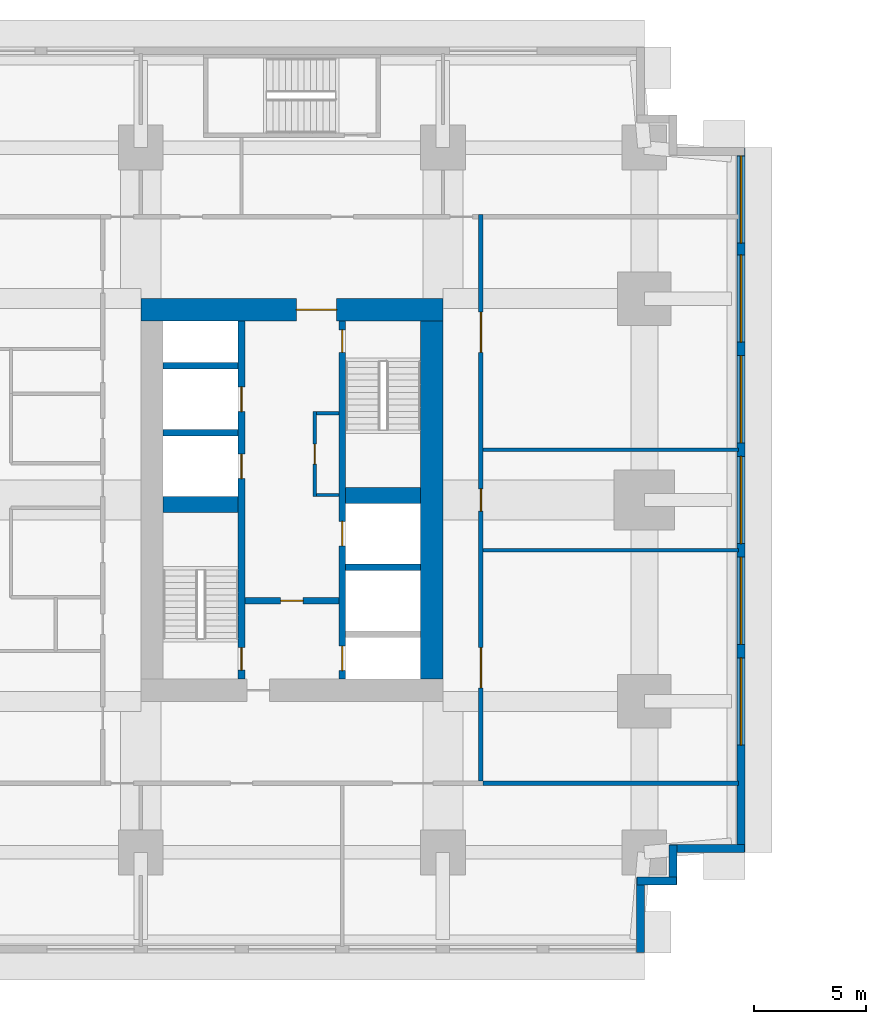
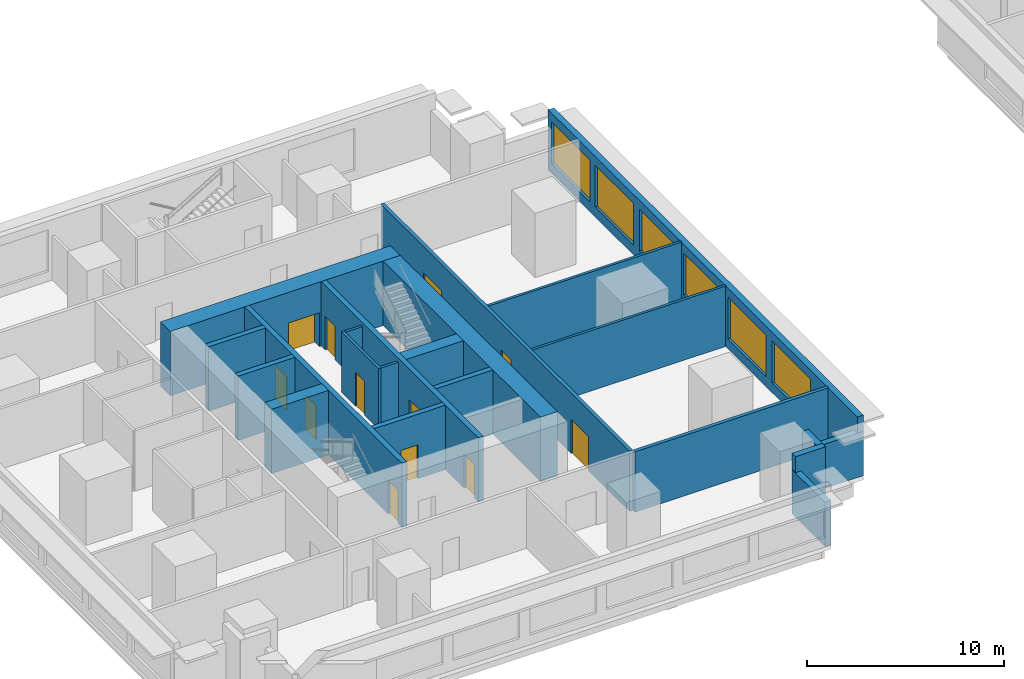
# One storey, part 4 of 11: 22 walls, 12 doors, 6 windows, 18 openings.
"""IFC4 building model written with IfcOpenShell, lengths in metres."""

from ifc_helpers import new_model, si_unit, direction, frame, frame_2d, origin, place, context, subcontext, project, spatial, rectangle, extrude, material, layer, layer_set, type_object, element, fill, save


model = new_model("IFC4")

# Units and contexts
model_context = context("Model", 3, precision=1e-05, world=origin(), true_north=direction((0.0, 1.0)))
body_context = subcontext(model_context, "Body", "Model", "MODEL_VIEW")
ifc_project = project(units=[si_unit("LENGTHUNIT", "METRE"), si_unit("AREAUNIT", "SQUARE_METRE"), si_unit("VOLUMEUNIT", "CUBIC_METRE"), si_unit("PLANEANGLEUNIT", "RADIAN"), si_unit("MASSUNIT", "GRAM", prefix="KILO")], contexts=[model_context])

# Site, building, storey
site_placement = place(None, origin())
site = spatial("IfcSite", under=ifc_project, at=site_placement, CompositionType="ELEMENT")
building_placement = place(site_placement, origin())
building = spatial("IfcBuilding", under=site, at=building_placement, Name="Namib Vertical Campus", CompositionType="ELEMENT")
storey_placement = place(building_placement, frame((0.0, 0.0, 73.0)))
storey = spatial("IfcBuildingStorey", under=building, at=storey_placement, Name="L17", CompositionType="ELEMENT", Elevation=73.0)

# Wall, openings, doors
ifc_material_1 = material(Name="Concrete C60/75", Category="concrete")
ifc_layer_1 = layer(ifc_material_1, 0.300048828125)
ifc_layer_set_1 = layer_set([ifc_layer_1], Name="Concrete C60/75")
wall_type_1 = type_object("IfcWallType", Name="Core inner wall 300", PredefinedType="SHEAR", material=ifc_layer_set_1)
wall_1_placement = place(storey_placement, frame((18.0, 12.25, 0.0), z_axis=(0.0, 0.0, 1.0), x_axis=(0.0, 1.0, 0.0)))
wall_1 = element("IfcWall", 1, at=wall_1_placement, inside=storey, type_object=wall_type_1, Name="Core inner wall A L17 W1", PredefinedType="SHEAR", context=body_context, shape_type="SweptSolid", body=[
    extrude(rectangle(XDim=16.0, YDim=0.300048828125, at=frame_2d((8.0, 0.0))), origin(), (0.0, 0.0, 1.0), 4.0),
])
opening_1_placement = place(wall_1_placement, frame((0.39990234375, 0.0, 0.0)))
opening_1 = element("IfcOpeningElement", 2, at=opening_1_placement, cuts=wall_1, Name="Opening FD1", PredefinedType="OPENING", context=body_context, shape_type="SweptSolid", body=[
    extrude(rectangle(XDim=1.0, YDim=2.10009765625, at=frame_2d((0.5, 1.050048828125))), frame((0.0, 0.159912109375, 0.0), z_axis=(0.0, -1.0, 0.0), x_axis=(1.0, 0.0, 0.0)), (0.0, 0.0, 1.0), 0.320068359375),
])
opening_2_placement = place(wall_1_placement, frame((8.949951171875, 0.0, 0.0)))
opening_2 = element("IfcOpeningElement", 3, at=opening_2_placement, cuts=wall_1, Name="Opening LD1", PredefinedType="OPENING", context=body_context, shape_type="SweptSolid", body=[
    extrude(rectangle(XDim=1.10009765625, YDim=2.10009765625, at=frame_2d((0.550048828125, 1.050048828125))), frame((0.0, 0.159912109375, 0.0), z_axis=(0.0, -1.0, 0.0), x_axis=(1.0, 0.0, 0.0)), (0.0, 0.0, 1.0), 0.320068359375),
])
opening_3_placement = place(wall_1_placement, frame((11.949951171875, 0.0, 0.0)))
opening_3 = element("IfcOpeningElement", 4, at=opening_3_placement, cuts=wall_1, Name="Opening LD1", PredefinedType="OPENING", context=body_context, shape_type="SweptSolid", body=[
    extrude(rectangle(XDim=1.10009765625, YDim=2.10009765625, at=frame_2d((0.550048828125, 1.050048828125))), frame((0.0, 0.159912109375, 0.0), z_axis=(0.0, -1.0, 0.0), x_axis=(1.0, 0.0, 0.0)), (0.0, 0.0, 1.0), 0.320068359375),
])
ifc_material_2 = material(Name="Steel fire door", Category="steel")
door_type_1 = type_object("IfcDoorType", Name="Fire door 1000x2100", OperationType="SINGLE_SWING_RIGHT", PredefinedType="DOOR", material=ifc_material_2)
door_1_placement = place(opening_1_placement, origin())
door_1 = element("IfcDoor", 5, at=door_1_placement, inside=storey, type_object=door_type_1, Name="Stair door FD1 A L17 S1", OperationType="SINGLE_SWING_LEFT", OverallHeight=2.10009765625, OverallWidth=1.0, PredefinedType="DOOR", context=body_context, shape_type="SweptSolid", body=[
    extrude(rectangle(XDim=1.0, YDim=2.10009765625, at=frame_2d((0.5, 1.050048828125))), frame((0.0, 0.02490234375, 0.0), z_axis=(0.0, -1.0, 0.0), x_axis=(1.0, 0.0, 0.0)), (0.0, 0.0, 1.0), 0.050048828125),
])
fill(opening_1, door_1)
ifc_material_3 = material(Name="Stainless steel lift door", Category="steel")
door_type_2 = type_object("IfcDoorType", Name="Lift landing door 1100x2100", OperationType="DOUBLE_DOOR_SLIDING", PredefinedType="DOOR", material=ifc_material_3)
door_2_placement = place(opening_2_placement, origin())
door_2 = element("IfcDoor", 6, at=door_2_placement, inside=storey, type_object=door_type_2, Name="Lift landing door LD1 A-P1 L17", OperationType="DOUBLE_DOOR_SLIDING", OverallHeight=2.10009765625, OverallWidth=1.10009765625, PredefinedType="DOOR", context=body_context, shape_type="SweptSolid", body=[
    extrude(rectangle(XDim=1.10009765625, YDim=2.10009765625, at=frame_2d((0.550048828125, 1.050048828125))), frame((0.0, 0.02490234375, 0.0), z_axis=(0.0, -1.0, 0.0), x_axis=(1.0, 0.0, 0.0)), (0.0, 0.0, 1.0), 0.050048828125),
])
fill(opening_2, door_2)
door_3_placement = place(opening_3_placement, origin())
door_3 = element("IfcDoor", 7, at=door_3_placement, inside=storey, type_object=door_type_2, Name="Lift landing door LD1 A-P2 L17", OperationType="DOUBLE_DOOR_SLIDING", OverallHeight=2.10009765625, OverallWidth=1.10009765625, PredefinedType="DOOR", context=body_context, shape_type="SweptSolid", body=[
    extrude(rectangle(XDim=1.10009765625, YDim=2.10009765625, at=frame_2d((0.550048828125, 1.050048828125))), frame((0.0, 0.02490234375, 0.0), z_axis=(0.0, -1.0, 0.0), x_axis=(1.0, 0.0, 0.0)), (0.0, 0.0, 1.0), 0.050048828125),
])
fill(opening_3, door_3)

wall_2_placement = place(storey_placement, frame((22.5, 12.25, 0.0), z_axis=(0.0, 0.0, 1.0), x_axis=(0.0, 1.0, 0.0)))
wall_2 = element("IfcWall", 8, at=wall_2_placement, inside=storey, type_object=wall_type_1, Name="Core inner wall A L17 W2", PredefinedType="SHEAR", context=body_context, shape_type="SweptSolid", body=[
    extrude(rectangle(XDim=16.0, YDim=0.300048828125, at=frame_2d((8.0, 0.0))), origin(), (0.0, 0.0, 1.0), 4.0),
])
opening_4_placement = place(wall_2_placement, frame((14.60009765625, 0.0, 0.0)))
opening_4 = element("IfcOpeningElement", 9, at=opening_4_placement, cuts=wall_2, Name="Opening FD1", PredefinedType="OPENING", context=body_context, shape_type="SweptSolid", body=[
    extrude(rectangle(XDim=1.0, YDim=2.10009765625, at=frame_2d((0.5, 1.050048828125))), frame((0.0, 0.159912109375, 0.0), z_axis=(0.0, -1.0, 0.0), x_axis=(1.0, 0.0, 0.0)), (0.0, 0.0, 1.0), 0.320068359375),
])
opening_5_placement = place(wall_2_placement, frame((0.375, 0.0, 0.0)))
opening_5 = element("IfcOpeningElement", 10, at=opening_5_placement, cuts=wall_2, Name="Opening LD1", PredefinedType="OPENING", context=body_context, shape_type="SweptSolid", body=[
    extrude(rectangle(XDim=1.10009765625, YDim=2.10009765625, at=frame_2d((0.550048828125, 1.050048828125))), frame((0.0, 0.159912109375, 0.0), z_axis=(0.0, -1.0, 0.0), x_axis=(1.0, 0.0, 0.0)), (0.0, 0.0, 1.0), 0.320068359375),
])
opening_6_placement = place(wall_2_placement, frame((5.949951171875, 0.0, 0.0)))
opening_6 = element("IfcOpeningElement", 11, at=opening_6_placement, cuts=wall_2, Name="Opening LD1", PredefinedType="OPENING", context=body_context, shape_type="SweptSolid", body=[
    extrude(rectangle(XDim=1.10009765625, YDim=2.10009765625, at=frame_2d((0.550048828125, 1.050048828125))), frame((0.0, 0.159912109375, 0.0), z_axis=(0.0, -1.0, 0.0), x_axis=(1.0, 0.0, 0.0)), (0.0, 0.0, 1.0), 0.320068359375),
])
door_4_placement = place(opening_4_placement, frame((1.0, 0.0, 0.0), z_axis=(0.0, 0.0, 1.0), x_axis=(-1.0, 0.0, 0.0)))
door_4 = element("IfcDoor", 12, at=door_4_placement, inside=storey, type_object=door_type_1, Name="Stair door FD1 A L17 S2", OperationType="SINGLE_SWING_LEFT", OverallHeight=2.10009765625, OverallWidth=1.0, PredefinedType="DOOR", context=body_context, shape_type="SweptSolid", body=[
    extrude(rectangle(XDim=1.0, YDim=2.10009765625, at=frame_2d((0.5, 1.050048828125))), frame((0.0, 0.02490234375, 0.0), z_axis=(0.0, -1.0, 0.0), x_axis=(1.0, 0.0, 0.0)), (0.0, 0.0, 1.0), 0.050048828125),
])
fill(opening_4, door_4)
door_5_placement = place(opening_5_placement, origin())
door_5 = element("IfcDoor", 13, at=door_5_placement, inside=storey, type_object=door_type_2, Name="Lift landing door LD1 A-FL1 L17", OperationType="DOUBLE_DOOR_SLIDING", OverallHeight=2.10009765625, OverallWidth=1.10009765625, PredefinedType="DOOR", context=body_context, shape_type="SweptSolid", body=[
    extrude(rectangle(XDim=1.10009765625, YDim=2.10009765625, at=frame_2d((0.550048828125, 1.050048828125))), frame((0.0, 0.02490234375, 0.0), z_axis=(0.0, -1.0, 0.0), x_axis=(1.0, 0.0, 0.0)), (0.0, 0.0, 1.0), 0.050048828125),
])
fill(opening_5, door_5)
door_6_placement = place(opening_6_placement, origin())
door_6 = element("IfcDoor", 14, at=door_6_placement, inside=storey, type_object=door_type_2, Name="Lift landing door LD1 A-P5 L17", OperationType="DOUBLE_DOOR_SLIDING", OverallHeight=2.10009765625, OverallWidth=1.10009765625, PredefinedType="DOOR", context=body_context, shape_type="SweptSolid", body=[
    extrude(rectangle(XDim=1.10009765625, YDim=2.10009765625, at=frame_2d((0.550048828125, 1.050048828125))), frame((0.0, 0.02490234375, 0.0), z_axis=(0.0, -1.0, 0.0), x_axis=(1.0, 0.0, 0.0)), (0.0, 0.0, 1.0), 0.050048828125),
])
fill(opening_6, door_6)

# Wall, opening, door
wall_3_placement = place(storey_placement, frame((18.14990234375, 15.75, 0.0), z_axis=(0.0, 0.0, 1.0), x_axis=(1.0, 0.0, 0.0)))
wall_3 = element("IfcWall", 15, at=wall_3_placement, inside=storey, type_object=wall_type_1, Name="Core inner wall A L17 W4", PredefinedType="SHEAR", context=body_context, shape_type="SweptSolid", body=[
    extrude(rectangle(XDim=4.2001953125, YDim=0.300048828125, at=frame_2d((2.10009765625, 0.0))), origin(), (0.0, 0.0, 1.0), 4.0),
])
opening_7_placement = place(wall_3_placement, frame((1.60009765625, 0.0, 0.0)))
opening_7 = element("IfcOpeningElement", 16, at=opening_7_placement, cuts=wall_3, Name="Opening FD5", PredefinedType="OPENING", context=body_context, shape_type="SweptSolid", body=[
    extrude(rectangle(XDim=1.0, YDim=2.10009765625, at=frame_2d((0.5, 1.050048828125))), frame((0.0, 0.159912109375, 0.0), z_axis=(0.0, -1.0, 0.0), x_axis=(1.0, 0.0, 0.0)), (0.0, 0.0, 1.0), 0.320068359375),
])
ifc_material_4 = material(Name="Steel fire door", Category="steel")
door_type_3 = type_object("IfcDoorType", Name="Fire door 1000x2100 120 min", OperationType="SINGLE_SWING_RIGHT", PredefinedType="DOOR", material=ifc_material_4)
door_7_placement = place(opening_7_placement, frame((1.0, 0.0, 0.0), z_axis=(0.0, 0.0, 1.0), x_axis=(-1.0, 0.0, 0.0)))
door_7 = element("IfcDoor", 17, at=door_7_placement, inside=storey, type_object=door_type_3, Name="Lobby door FD5 A L17", OperationType="SINGLE_SWING_RIGHT", OverallHeight=2.10009765625, OverallWidth=1.0, PredefinedType="DOOR", context=body_context, shape_type="SweptSolid", body=[
    extrude(rectangle(XDim=1.0, YDim=2.10009765625, at=frame_2d((0.5, 1.050048828125))), frame((0.0, 0.02490234375, 0.0), z_axis=(0.0, -1.0, 0.0), x_axis=(1.0, 0.0, 0.0)), (0.0, 0.0, 1.0), 0.050048828125),
])
fill(opening_7, door_7)

# Walls
for number, where, z_axis, x_axis, name in (
    (18, (22.64990234375, 17.25, 0.0), (0.0, 0.0, 1.0), (1.0, 0.0, 0.0), "Core inner wall A L17 W6"),
    (19, (14.5, 23.25, 0.0), (0.0, 0.0, 1.0), (1.0, 0.0, 0.0), "Core inner wall A L17 W8"),
    (20, (14.5, 26.25, 0.0), (0.0, 0.0, 1.0), (1.0, 0.0, 0.0), "Core inner wall A L17 W9"),
):
    element("IfcWall", number, at=place(storey_placement, frame(where, z_axis=z_axis, x_axis=x_axis)), inside=storey, type_object=wall_type_1, Name=name, PredefinedType="SHEAR", context=body_context, shape_type="SweptSolid", body=[
        extrude(rectangle(XDim=3.35009765625, YDim=0.300048828125, at=frame_2d((1.675048828125, 0.0))), origin(), (0.0, 0.0, 1.0), 4.0),
    ])
ifc_material_5 = material(Name="Concrete C60/75", Category="concrete")
ifc_layer_2 = layer(ifc_material_5, 0.699951171875)
ifc_layer_set_2 = layer_set([ifc_layer_2], Name="Concrete C60/75")
wall_type_2 = type_object("IfcWallType", Name="Core shear wall 700", PredefinedType="SHEAR", material=ifc_layer_set_2)
for number, where, z_axis, x_axis, name in (
    (21, (14.5, 20.050048828125, 0.0), (0.0, 0.0, 1.0), (1.0, 0.0, 0.0), "Core shear wall A L17 W3"),
    (22, (22.64990234375, 20.449951171875, 0.0), (0.0, 0.0, 1.0), (1.0, 0.0, 0.0), "Core shear wall A L17 W7"),
):
    element("IfcWall", number, at=place(storey_placement, frame(where, z_axis=z_axis, x_axis=x_axis)), inside=storey, type_object=wall_type_2, Name=name, PredefinedType="SHEAR", context=body_context, shape_type="SweptSolid", body=[
        extrude(rectangle(XDim=3.35009765625, YDim=0.699951171875, at=frame_2d((1.675048828125, 0.0))), origin(), (0.0, 0.0, 1.0), 4.0),
    ])
ifc_material_6 = material(Name="Concrete C60/75", Category="concrete")
ifc_layer_3 = layer(ifc_material_6, 1.0)
ifc_layer_set_3 = layer_set([ifc_layer_3], Name="Concrete C60/75")
wall_type_3 = type_object("IfcWallType", Name="Core wall 1000", PredefinedType="SHEAR", material=ifc_layer_set_3)
wall_4_placement = place(storey_placement, frame((26.5, 12.25, 0.0), z_axis=(0.0, 0.0, 1.0), x_axis=(0.0, 1.0, 0.0)))
element("IfcWall", 23, at=wall_4_placement, inside=storey, type_object=wall_type_3, Name="Core wall A L17 2", PredefinedType="SHEAR", context=body_context, shape_type="SweptSolid", body=[
    extrude(rectangle(XDim=16.0, YDim=1.0, at=frame_2d((8.0, 0.0))), origin(), (0.0, 0.0, 1.0), 4.0),
])

# Wall, opening, door
wall_5_placement = place(storey_placement, frame((27.0, 28.75, 0.0), z_axis=(0.0, 0.0, 1.0), x_axis=(-1.0, 0.0, 0.0)))
wall_5 = element("IfcWall", 24, at=wall_5_placement, inside=storey, type_object=wall_type_3, Name="Core wall A L17 3", PredefinedType="SHEAR", context=body_context, shape_type="SweptSolid", body=[
    extrude(rectangle(XDim=13.5, YDim=1.0, at=frame_2d((6.75, 0.0))), origin(), (0.0, 0.0, 1.0), 4.0),
])
opening_8_placement = place(wall_5_placement, frame((4.75, 0.0, 0.0)))
opening_8 = element("IfcOpeningElement", 25, at=opening_8_placement, cuts=wall_5, Name="Opening FD2", PredefinedType="OPENING", context=body_context, shape_type="SweptSolid", body=[
    extrude(rectangle(XDim=1.800048828125, YDim=2.10009765625, at=frame_2d((0.89990234375, 1.050048828125))), frame((0.0, 0.510009765625, 0.0), z_axis=(0.0, -1.0, 0.0), x_axis=(1.0, 0.0, 0.0)), (0.0, 0.0, 1.0), 1.02001953125),
])
ifc_material_7 = material(Name="Steel fire door", Category="steel")
door_type_4 = type_object("IfcDoorType", Name="Fire door double 1800x2100", OperationType="DOUBLE_DOOR_SINGLE_SWING", PredefinedType="DOOR", material=ifc_material_7)
door_8_placement = place(opening_8_placement, origin())
door_8 = element("IfcDoor", 26, at=door_8_placement, inside=storey, type_object=door_type_4, Name="Lift lobby door FD2 A L17", OperationType="DOUBLE_DOOR_SINGLE_SWING", OverallHeight=2.10009765625, OverallWidth=1.800048828125, PredefinedType="DOOR", context=body_context, shape_type="SweptSolid", body=[
    extrude(rectangle(XDim=1.800048828125, YDim=2.10009765625, at=frame_2d((0.89990234375, 1.050048828125))), frame((0.0, 0.02490234375, 0.0), z_axis=(0.0, -1.0, 0.0), x_axis=(1.0, 0.0, 0.0)), (0.0, 0.0, 1.0), 0.050048828125),
])
fill(opening_8, door_8)

# Wall, openings, doors
ifc_material_8 = material(Name="Concrete masonry", Category="masonry")
ifc_layer_4 = layer(ifc_material_8, 0.199951171875)
ifc_layer_set_4 = layer_set([ifc_layer_4], Name="Corridor wall 200")
wall_type_4 = type_object("IfcWallType", Name="Corridor wall 200", PredefinedType="SOLIDWALL", material=ifc_layer_set_4)
wall_6_placement = place(storey_placement, frame((28.699951171875, 7.699951171875, 0.0), z_axis=(0.0, 0.0, 1.0), x_axis=(0.0, 1.0, 0.0)))
wall_6 = element("IfcWall", 27, at=wall_6_placement, inside=storey, type_object=wall_type_4, Name="Corridor wall A L17 CE", PredefinedType="SOLIDWALL", context=body_context, shape_type="SweptSolid", body=[
    extrude(rectangle(XDim=25.300048828125, YDim=0.199951171875, at=frame_2d((12.64990234375, 0.0))), origin(), (0.0, 0.0, 1.0), 3.75),
])
opening_9_placement = place(wall_6_placement, frame((4.14990234375, 0.0, 0.0)))
opening_9 = element("IfcOpeningElement", 28, at=opening_9_placement, cuts=wall_6, Name="Opening CD2", PredefinedType="OPENING", context=body_context, shape_type="SweptSolid", body=[
    extrude(rectangle(XDim=1.800048828125, YDim=2.10009765625, at=frame_2d((0.89990234375, 1.050048828125))), frame((0.0, 0.10986328125, 0.0), z_axis=(0.0, -1.0, 0.0), x_axis=(1.0, 0.0, 0.0)), (0.0, 0.0, 1.0), 0.219970703125),
])
opening_10_placement = place(wall_6_placement, frame((12.050048828125, 0.0, 0.0)))
opening_10 = element("IfcOpeningElement", 29, at=opening_10_placement, cuts=wall_6, Name="Opening CD1", PredefinedType="OPENING", context=body_context, shape_type="SweptSolid", body=[
    extrude(rectangle(XDim=1.0, YDim=2.10009765625, at=frame_2d((0.5, 1.050048828125))), frame((0.0, 0.10986328125, 0.0), z_axis=(0.0, -1.0, 0.0), x_axis=(1.0, 0.0, 0.0)), (0.0, 0.0, 1.0), 0.219970703125),
])
opening_11_placement = place(wall_6_placement, frame((19.14990234375, 0.0, 0.0)))
opening_11 = element("IfcOpeningElement", 30, at=opening_11_placement, cuts=wall_6, Name="Opening CD2", PredefinedType="OPENING", context=body_context, shape_type="SweptSolid", body=[
    extrude(rectangle(XDim=1.800048828125, YDim=2.10009765625, at=frame_2d((0.89990234375, 1.050048828125))), frame((0.0, 0.10986328125, 0.0), z_axis=(0.0, -1.0, 0.0), x_axis=(1.0, 0.0, 0.0)), (0.0, 0.0, 1.0), 0.219970703125),
])
ifc_material_9 = material(Name="Timber fire door leaf", Category="wood")
door_type_5 = type_object("IfcDoorType", Name="Corridor door 1000x2100 20 min", OperationType="SINGLE_SWING_LEFT", PredefinedType="DOOR", material=ifc_material_9)
door_9_placement = place(opening_10_placement, frame((1.0, 0.0, 0.0), z_axis=(0.0, 0.0, 1.0), x_axis=(-1.0, 0.0, 0.0)))
door_9 = element("IfcDoor", 31, at=door_9_placement, inside=storey, type_object=door_type_5, Name="Door CD1 A17-05", OperationType="SINGLE_SWING_RIGHT", OverallHeight=2.10009765625, OverallWidth=1.0, PredefinedType="DOOR", context=body_context, shape_type="SweptSolid", body=[
    extrude(rectangle(XDim=1.0, YDim=2.10009765625, at=frame_2d((0.5, 1.050048828125))), frame((0.0, 0.02490234375, 0.0), z_axis=(0.0, -1.0, 0.0), x_axis=(1.0, 0.0, 0.0)), (0.0, 0.0, 1.0), 0.050048828125),
])
fill(opening_10, door_9)
ifc_material_10 = material(Name="Timber fire door leaf", Category="wood")
door_type_6 = type_object("IfcDoorType", Name="Corridor door double 1800x2100 20 min", OperationType="DOUBLE_DOOR_SINGLE_SWING", PredefinedType="DOOR", material=ifc_material_10)
door_10_placement = place(opening_9_placement, frame((1.800048828125, 0.0, 0.0), z_axis=(0.0, 0.0, 1.0), x_axis=(-1.0, 0.0, 0.0)))
door_10 = element("IfcDoor", 32, at=door_10_placement, inside=storey, type_object=door_type_6, Name="Door CD2 A17-04", OperationType="DOUBLE_DOOR_SINGLE_SWING", OverallHeight=2.10009765625, OverallWidth=1.800048828125, PredefinedType="DOOR", context=body_context, shape_type="SweptSolid", body=[
    extrude(rectangle(XDim=1.800048828125, YDim=2.10009765625, at=frame_2d((0.89990234375, 1.050048828125))), frame((0.0, 0.02490234375, 0.0), z_axis=(0.0, -1.0, 0.0), x_axis=(1.0, 0.0, 0.0)), (0.0, 0.0, 1.0), 0.050048828125),
])
fill(opening_9, door_10)
door_11_placement = place(opening_11_placement, frame((1.800048828125, 0.0, 0.0), z_axis=(0.0, 0.0, 1.0), x_axis=(-1.0, 0.0, 0.0)))
door_11 = element("IfcDoor", 33, at=door_11_placement, inside=storey, type_object=door_type_6, Name="Door CD2 A17-06", OperationType="DOUBLE_DOOR_SINGLE_SWING", OverallHeight=2.10009765625, OverallWidth=1.800048828125, PredefinedType="DOOR", context=body_context, shape_type="SweptSolid", body=[
    extrude(rectangle(XDim=1.800048828125, YDim=2.10009765625, at=frame_2d((0.89990234375, 1.050048828125))), frame((0.0, 0.02490234375, 0.0), z_axis=(0.0, -1.0, 0.0), x_axis=(1.0, 0.0, 0.0)), (0.0, 0.0, 1.0), 0.050048828125),
])
fill(opening_11, door_11)

# Walls
wall_7_placement = place(storey_placement, frame((28.800048828125, 7.60009765625, 0.0), z_axis=(0.0, 0.0, 1.0), x_axis=(1.0, 0.0, 0.0)))
element("IfcWall", 34, at=wall_7_placement, inside=storey, type_object=wall_type_4, Name="Partition A L17 BSE", PredefinedType="SOLIDWALL", context=body_context, shape_type="SweptSolid", body=[
    extrude(rectangle(XDim=11.39990234375, YDim=0.199951171875, at=frame_2d((5.699951171875, 0.0))), origin(), (0.0, 0.0, 1.0), 3.75),
])
ifc_material_11 = material(Name="Concrete C40/50", Category="concrete")
ifc_layer_5 = layer(ifc_material_11, 0.35009765625)
ifc_layer_set_5 = layer_set([ifc_layer_5], Name="Concrete C40/50")
wall_type_5 = type_object("IfcWallType", Name="External wall 350 bush-hammered concrete", PredefinedType="STANDARD", material=ifc_layer_set_5)
wall_8_placement = place(storey_placement, frame((35.824951171875, 0.02001953125, 0.0), z_axis=(0.0, 0.0, 1.0), x_axis=(0.0, 1.0, 0.0)))
element("IfcWall", 35, at=wall_8_placement, inside=storey, type_object=wall_type_5, Name="External wall L17 F02", PredefinedType="STANDARD", context=body_context, shape_type="SweptSolid", body=[
    extrude(rectangle(XDim=3.35986328125, YDim=0.35009765625, at=frame_2d((1.679931640625, 0.0))), origin(), (0.0, 0.0, 1.0), 2.75),
])
for number, where, z_axis, x_axis, name in (
    (36, (35.669921875, 3.22509765625, 0.0), (0.0, 0.0, 1.0), (1.0, 0.0, 0.0), "External wall L17 F03"),
    (37, (37.27490234375, 3.070068359375, 0.0), (0.0, 0.0, 1.0), (0.0, 1.0, 0.0), "External wall L17 F04"),
):
    element("IfcWall", number, at=place(storey_placement, frame(where, z_axis=z_axis, x_axis=x_axis)), inside=storey, type_object=wall_type_5, Name=name, PredefinedType="STANDARD", context=body_context, shape_type="SweptSolid", body=[
        extrude(rectangle(XDim=1.760009765625, YDim=0.35009765625, at=frame_2d((0.8798828125, 0.0))), origin(), (0.0, 0.0, 1.0), 3.75),
    ])
wall_9_placement = place(storey_placement, frame((37.1201171875, 4.675048828125, 0.0), z_axis=(0.0, 0.0, 1.0), x_axis=(1.0, 0.0, 0.0)))
element("IfcWall", 38, at=wall_9_placement, inside=storey, type_object=wall_type_5, Name="External wall L17 F05", PredefinedType="STANDARD", context=body_context, shape_type="SweptSolid", body=[
    extrude(rectangle(XDim=3.35986328125, YDim=0.35009765625, at=frame_2d((1.679931640625, 0.0))), origin(), (0.0, 0.0, 1.0), 2.75),
])

# Wall, openings, windows
wall_10_placement = place(storey_placement, frame((40.324951171875, 4.52001953125, 0.0), z_axis=(0.0, 0.0, 1.0), x_axis=(0.0, 1.0, 0.0)))
wall_10 = element("IfcWall", 39, at=wall_10_placement, inside=storey, type_object=wall_type_5, Name="External wall L17 F06", PredefinedType="STANDARD", context=body_context, shape_type="SweptSolid", body=[
    extrude(rectangle(XDim=31.4599609375, YDim=0.35009765625, at=frame_2d((15.72998046875, 0.0))), origin(), (0.0, 0.0, 1.0), 3.75),
])
opening_12_placement = place(wall_10_placement, frame((4.780029296875, 0.0, 0.60009765625)))
opening_12 = element("IfcOpeningElement", 40, at=opening_12_placement, cuts=wall_10, Name="Opening W2", PredefinedType="OPENING", context=body_context, shape_type="SweptSolid", body=[
    extrude(rectangle(XDim=3.89990234375, YDim=2.60009765625, at=frame_2d((1.949951171875, 1.300048828125))), frame((0.0, 0.18505859375, 0.0), z_axis=(0.0, -1.0, 0.0), x_axis=(1.0, 0.0, 0.0)), (0.0, 0.0, 1.0), 0.3701171875),
])
opening_13_placement = place(wall_10_placement, frame((9.280029296875, 0.0, 0.60009765625)))
opening_13 = element("IfcOpeningElement", 41, at=opening_13_placement, cuts=wall_10, Name="Opening W2", PredefinedType="OPENING", context=body_context, shape_type="SweptSolid", body=[
    extrude(rectangle(XDim=3.89990234375, YDim=2.60009765625, at=frame_2d((1.949951171875, 1.300048828125))), frame((0.0, 0.18505859375, 0.0), z_axis=(0.0, -1.0, 0.0), x_axis=(1.0, 0.0, 0.0)), (0.0, 0.0, 1.0), 0.3701171875),
])
opening_14_placement = place(wall_10_placement, frame((13.780029296875, 0.0, 0.60009765625)))
opening_14 = element("IfcOpeningElement", 42, at=opening_14_placement, cuts=wall_10, Name="Opening W2", PredefinedType="OPENING", context=body_context, shape_type="SweptSolid", body=[
    extrude(rectangle(XDim=3.89990234375, YDim=2.60009765625, at=frame_2d((1.949951171875, 1.300048828125))), frame((0.0, 0.18505859375, 0.0), z_axis=(0.0, -1.0, 0.0), x_axis=(1.0, 0.0, 0.0)), (0.0, 0.0, 1.0), 0.3701171875),
])
opening_15_placement = place(wall_10_placement, frame((18.280029296875, 0.0, 0.60009765625)))
opening_15 = element("IfcOpeningElement", 43, at=opening_15_placement, cuts=wall_10, Name="Opening W2", PredefinedType="OPENING", context=body_context, shape_type="SweptSolid", body=[
    extrude(rectangle(XDim=3.89990234375, YDim=2.60009765625, at=frame_2d((1.949951171875, 1.300048828125))), frame((0.0, 0.18505859375, 0.0), z_axis=(0.0, -1.0, 0.0), x_axis=(1.0, 0.0, 0.0)), (0.0, 0.0, 1.0), 0.3701171875),
])
opening_16_placement = place(wall_10_placement, frame((22.780029296875, 0.0, 0.60009765625)))
opening_16 = element("IfcOpeningElement", 44, at=opening_16_placement, cuts=wall_10, Name="Opening W2", PredefinedType="OPENING", context=body_context, shape_type="SweptSolid", body=[
    extrude(rectangle(XDim=3.89990234375, YDim=2.60009765625, at=frame_2d((1.949951171875, 1.300048828125))), frame((0.0, 0.18505859375, 0.0), z_axis=(0.0, -1.0, 0.0), x_axis=(1.0, 0.0, 0.0)), (0.0, 0.0, 1.0), 0.3701171875),
])
opening_17_placement = place(wall_10_placement, frame((27.2099609375, 0.0, 0.60009765625)))
opening_17 = element("IfcOpeningElement", 45, at=opening_17_placement, cuts=wall_10, Name="Opening W2", PredefinedType="OPENING", context=body_context, shape_type="SweptSolid", body=[
    extrude(rectangle(XDim=3.89990234375, YDim=2.60009765625, at=frame_2d((1.949951171875, 1.300048828125))), frame((0.0, 0.18505859375, 0.0), z_axis=(0.0, -1.0, 0.0), x_axis=(1.0, 0.0, 0.0)), (0.0, 0.0, 1.0), 0.3701171875),
])
ifc_material_12 = material(Name="Dark tinted glass in black aluminium frame", Category="aluminium")
window_type = type_object("IfcWindowType", Name="Ribbon window 3900x2600", PartitioningType="SINGLE_PANEL", PredefinedType="WINDOW", material=ifc_material_12)
window_1_placement = place(opening_12_placement, origin())
window_1 = element("IfcWindow", 46, at=window_1_placement, inside=storey, type_object=window_type, Name="Window W2 L17 F06-2", OverallHeight=2.60009765625, OverallWidth=3.89990234375, PartitioningType="SINGLE_PANEL", PredefinedType="WINDOW", context=body_context, shape_type="SweptSolid", body=[
    extrude(rectangle(XDim=3.89990234375, YDim=2.60009765625, at=frame_2d((1.949951171875, 1.300048828125))), frame((0.0, 0.030029296875, 0.0), z_axis=(0.0, -1.0, 0.0), x_axis=(1.0, 0.0, 0.0)), (0.0, 0.0, 1.0), 0.06005859375),
])
fill(opening_12, window_1)
window_2_placement = place(opening_13_placement, origin())
window_2 = element("IfcWindow", 47, at=window_2_placement, inside=storey, type_object=window_type, Name="Window W2 L17 F06-3", OverallHeight=2.60009765625, OverallWidth=3.89990234375, PartitioningType="SINGLE_PANEL", PredefinedType="WINDOW", context=body_context, shape_type="SweptSolid", body=[
    extrude(rectangle(XDim=3.89990234375, YDim=2.60009765625, at=frame_2d((1.949951171875, 1.300048828125))), frame((0.0, 0.030029296875, 0.0), z_axis=(0.0, -1.0, 0.0), x_axis=(1.0, 0.0, 0.0)), (0.0, 0.0, 1.0), 0.06005859375),
])
fill(opening_13, window_2)
window_3_placement = place(opening_14_placement, origin())
window_3 = element("IfcWindow", 48, at=window_3_placement, inside=storey, type_object=window_type, Name="Window W2 L17 F06-4", OverallHeight=2.60009765625, OverallWidth=3.89990234375, PartitioningType="SINGLE_PANEL", PredefinedType="WINDOW", context=body_context, shape_type="SweptSolid", body=[
    extrude(rectangle(XDim=3.89990234375, YDim=2.60009765625, at=frame_2d((1.949951171875, 1.300048828125))), frame((0.0, 0.030029296875, 0.0), z_axis=(0.0, -1.0, 0.0), x_axis=(1.0, 0.0, 0.0)), (0.0, 0.0, 1.0), 0.06005859375),
])
fill(opening_14, window_3)
window_4_placement = place(opening_15_placement, origin())
window_4 = element("IfcWindow", 49, at=window_4_placement, inside=storey, type_object=window_type, Name="Window W2 L17 F06-5", OverallHeight=2.60009765625, OverallWidth=3.89990234375, PartitioningType="SINGLE_PANEL", PredefinedType="WINDOW", context=body_context, shape_type="SweptSolid", body=[
    extrude(rectangle(XDim=3.89990234375, YDim=2.60009765625, at=frame_2d((1.949951171875, 1.300048828125))), frame((0.0, 0.030029296875, 0.0), z_axis=(0.0, -1.0, 0.0), x_axis=(1.0, 0.0, 0.0)), (0.0, 0.0, 1.0), 0.06005859375),
])
fill(opening_15, window_4)
window_5_placement = place(opening_16_placement, origin())
window_5 = element("IfcWindow", 50, at=window_5_placement, inside=storey, type_object=window_type, Name="Window W2 L17 F06-6", OverallHeight=2.60009765625, OverallWidth=3.89990234375, PartitioningType="SINGLE_PANEL", PredefinedType="WINDOW", context=body_context, shape_type="SweptSolid", body=[
    extrude(rectangle(XDim=3.89990234375, YDim=2.60009765625, at=frame_2d((1.949951171875, 1.300048828125))), frame((0.0, 0.030029296875, 0.0), z_axis=(0.0, -1.0, 0.0), x_axis=(1.0, 0.0, 0.0)), (0.0, 0.0, 1.0), 0.06005859375),
])
fill(opening_16, window_5)
window_6_placement = place(opening_17_placement, origin())
window_6 = element("IfcWindow", 51, at=window_6_placement, inside=storey, type_object=window_type, Name="Window W2 L17 F06-7", OverallHeight=2.60009765625, OverallWidth=3.89990234375, PartitioningType="SINGLE_PANEL", PredefinedType="WINDOW", context=body_context, shape_type="SweptSolid", body=[
    extrude(rectangle(XDim=3.89990234375, YDim=2.60009765625, at=frame_2d((1.949951171875, 1.300048828125))), frame((0.0, 0.030029296875, 0.0), z_axis=(0.0, -1.0, 0.0), x_axis=(1.0, 0.0, 0.0)), (0.0, 0.0, 1.0), 0.06005859375),
])
fill(opening_17, window_6)

# Wall, opening, door
ifc_material_13 = material(Name="Gypsum board on steel studs", Category="steel")
ifc_layer_6 = layer(ifc_material_13, 0.14990234375)
ifc_layer_set_6 = layer_set([ifc_layer_6], Name="Gypsum board on steel studs")
wall_type_6 = type_object("IfcWallType", Name="Partition 150", PredefinedType="PARTITIONING", material=ifc_layer_set_6)
wall_11_placement = place(storey_placement, frame((21.27490234375, 20.39990234375, 0.0), z_axis=(0.0, 0.0, 1.0), x_axis=(0.0, 1.0, 0.0)))
wall_11 = element("IfcWall", 52, at=wall_11_placement, inside=storey, type_object=wall_type_6, Name="Partition A L17 Linen store front", PredefinedType="PARTITIONING", context=body_context, shape_type="SweptSolid", body=[
    extrude(rectangle(XDim=3.800048828125, YDim=0.14990234375, at=frame_2d((1.89990234375, 0.0))), origin(), (0.0, 0.0, 1.0), 3.75),
])
opening_18_placement = place(wall_11_placement, frame((1.449951171875, 0.0, 0.0)))
opening_18 = element("IfcOpeningElement", 53, at=opening_18_placement, cuts=wall_11, Name="Opening D3", PredefinedType="OPENING", context=body_context, shape_type="SweptSolid", body=[
    extrude(rectangle(XDim=0.89990234375, YDim=2.10009765625, at=frame_2d((0.449951171875, 1.050048828125))), frame((0.0, 0.0849609375, 0.0), z_axis=(0.0, -1.0, 0.0), x_axis=(1.0, 0.0, 0.0)), (0.0, 0.0, 1.0), 0.169921875),
])
ifc_material_14 = material(Name="Timber door leaf", Category="wood")
door_type_7 = type_object("IfcDoorType", Name="Toilet door 900x2100", OperationType="SINGLE_SWING_LEFT", PredefinedType="DOOR", material=ifc_material_14)
door_12_placement = place(opening_18_placement, frame((0.89990234375, 0.0, 0.0), z_axis=(0.0, 0.0, 1.0), x_axis=(-1.0, 0.0, 0.0)))
door_12 = element("IfcDoor", 54, at=door_12_placement, inside=storey, type_object=door_type_7, Name="Door D3 Linen store A L17", OperationType="SINGLE_SWING_RIGHT", OverallHeight=2.10009765625, OverallWidth=0.89990234375, PredefinedType="DOOR", context=body_context, shape_type="SweptSolid", body=[
    extrude(rectangle(XDim=0.89990234375, YDim=2.10009765625, at=frame_2d((0.449951171875, 1.050048828125))), frame((0.0, 0.02490234375, 0.0), z_axis=(0.0, -1.0, 0.0), x_axis=(1.0, 0.0, 0.0)), (0.0, 0.0, 1.0), 0.050048828125),
])
fill(opening_18, door_12)

# Walls
for number, where, z_axis, x_axis, name in (
    (55, (21.35009765625, 20.47509765625, 0.0), (0.0, 0.0, 1.0), (1.0, 0.0, 0.0), "Partition A L17 Linen store end 1"),
    (56, (21.35009765625, 24.125, 0.0), (0.0, 0.0, 1.0), (1.0, 0.0, 0.0), "Partition A L17 Linen store end 2"),
):
    element("IfcWall", number, at=place(storey_placement, frame(where, z_axis=z_axis, x_axis=x_axis)), inside=storey, type_object=wall_type_6, Name=name, PredefinedType="PARTITIONING", context=body_context, shape_type="SweptSolid", body=[
        extrude(rectangle(XDim=1.0, YDim=0.14990234375, at=frame_2d((0.5, 0.0))), origin(), (0.0, 0.0, 1.0), 3.75),
    ])
for number, where, z_axis, x_axis, name in (
    (57, (28.800048828125, 18.0, 0.0), (0.0, 0.0, 1.0), (1.0, 0.0, 0.0), "Partition A L17 PE1"),
    (58, (28.800048828125, 22.5, 0.0), (0.0, 0.0, 1.0), (1.0, 0.0, 0.0), "Partition A L17 PE2"),
):
    element("IfcWall", number, at=place(storey_placement, frame(where, z_axis=z_axis, x_axis=x_axis)), inside=storey, type_object=wall_type_6, Name=name, PredefinedType="PARTITIONING", context=body_context, shape_type="SweptSolid", body=[
        extrude(rectangle(XDim=11.39990234375, YDim=0.14990234375, at=frame_2d((5.699951171875, 0.0))), origin(), (0.0, 0.0, 1.0), 3.75),
    ])

save(model, "model.ifc")
